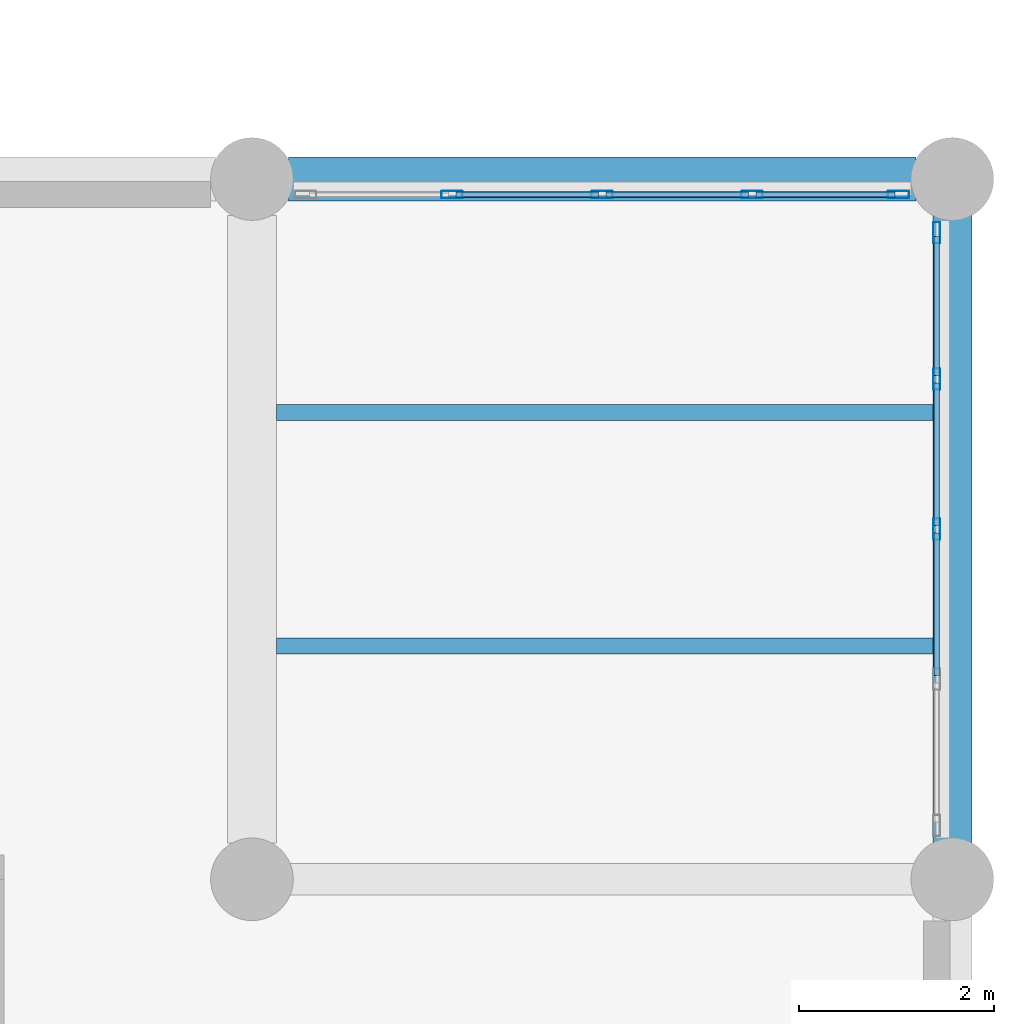
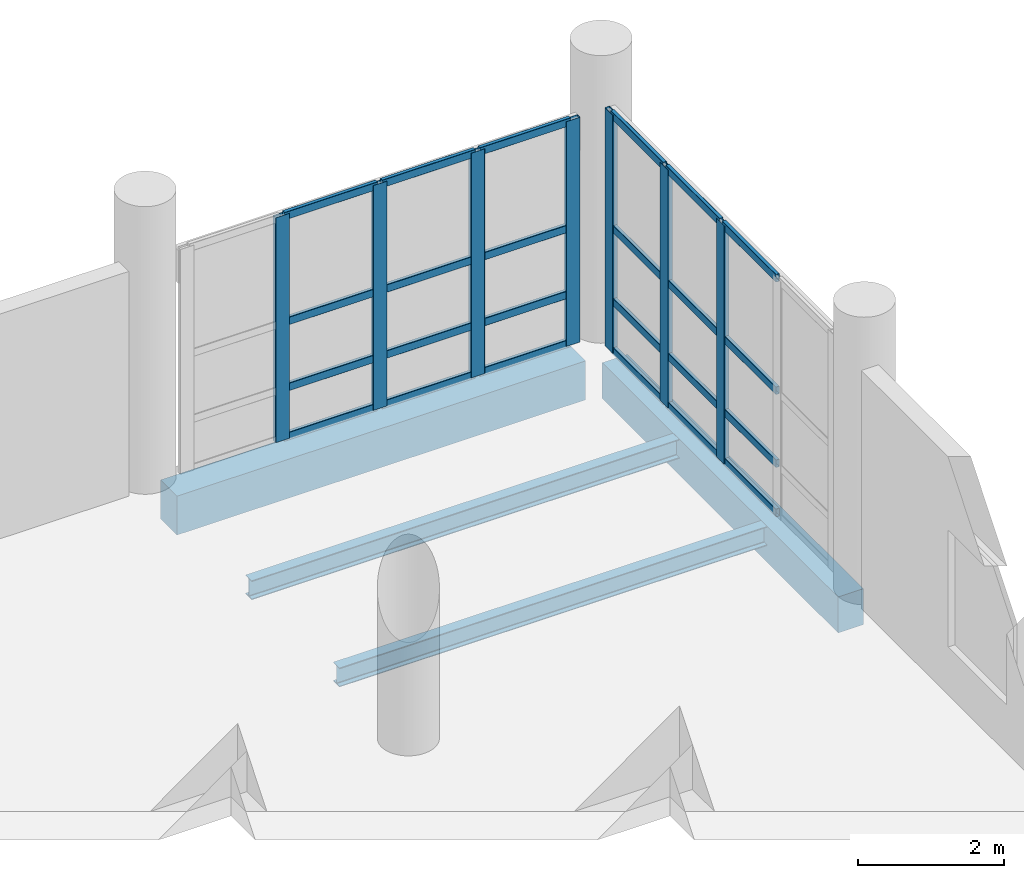
# One storey, part 76 of 127: 31 members, 4 beams, 2 elements without a shape of their own.
"""IFC4 building model written with IfcOpenShell, lengths in metres."""

from ifc_helpers import new_model, si_unit, direction, frame, origin, origin_2d, place, context, subcontext, project, spatial, rectangle, hollow_rectangle, i_section, extrude, material, material_profile, profile_set, type_object, element, aggregate, save


model = new_model("IFC4")

# Units and contexts
model_context = context("Model", 3, precision=1e-05, world=origin(), true_north=direction((0.0, 1.0)))
body_context = subcontext(model_context, "Body", "Model", "MODEL_VIEW")
ifc_project = project(units=[si_unit("LENGTHUNIT", "METRE"), si_unit("AREAUNIT", "SQUARE_METRE"), si_unit("VOLUMEUNIT", "CUBIC_METRE"), si_unit("PLANEANGLEUNIT", "RADIAN"), si_unit("MASSUNIT", "GRAM", prefix="KILO")], contexts=[model_context])

# Site, building, storey
site_placement = place(None, origin())
site = spatial("IfcSite", under=ifc_project, at=site_placement, CompositionType="ELEMENT")
building_placement = place(site_placement, origin())
building = spatial("IfcBuilding", under=site, at=building_placement, Name="Kalmorath City Hall", CompositionType="ELEMENT")
storey_placement = place(building_placement, frame((0.0, 0.0, 5.39990234375)))
storey = spatial("IfcBuildingStorey", under=building, at=storey_placement, Name="L01", CompositionType="ELEMENT", Elevation=5.39990234375)

# Beams
ifc_material_1 = material(Name="Concrete C40/50", Category="concrete")
ifc_material_profile_1 = material_profile(ifc_material_1, rectangle(XDim=0.39990234375, YDim=0.60009765625, at=origin_2d()), Name="RC-BM-400X600")
ifc_profile_set_1 = profile_set([ifc_material_profile_1], Name="Concrete C40/50")
beam_type_1 = type_object("IfcBeamType", Name="Concrete edge beam 400x600", PredefinedType="SPANDREL", material=ifc_profile_set_1)
beam_1_placement = place(storey_placement, frame((165.60009765625, 93.97509765625, -0.6240234375), z_axis=(0.0, 1.0, 0.0), x_axis=(-1.0, 0.0, 0.0)))
element("IfcBeam", 1, at=beam_1_placement, inside=storey, type_object=beam_type_1, Name="L01 girder CB6 Y24/14-15", PredefinedType="SPANDREL", context=body_context, shape_type="SweptSolid", body=[
    extrude(rectangle(XDim=0.39990234375, YDim=0.60009765625, at=origin_2d()), origin(), (0.0, 0.0, 1.0), 6.449951171875),
])
ifc_material_2 = material(Name="Concrete C40/50", Category="concrete")
ifc_material_profile_2 = material_profile(ifc_material_2, rectangle(XDim=0.449951171875, YDim=0.64990234375, at=origin_2d()), Name="RC-BM-450X650")
ifc_profile_set_2 = profile_set([ifc_material_profile_2], Name="Concrete C40/50")
beam_type_2 = type_object("IfcBeamType", Name="Concrete spandrel beam 450x650", PredefinedType="SPANDREL", material=ifc_profile_set_2)
beam_2_placement = place(storey_placement, frame((158.77490234375, 100.800048828125, -0.64892578125), z_axis=(1.0, 0.0, 0.0), x_axis=(0.0, 1.0, 0.0)))
element("IfcBeam", 2, at=beam_2_placement, inside=storey, type_object=beam_type_2, Name="L01 girder CB5 X23-24/15", PredefinedType="SPANDREL", context=body_context, shape_type="SweptSolid", body=[
    extrude(rectangle(XDim=0.449951171875, YDim=0.64990234375, at=origin_2d()), origin(), (0.0, 0.0, 1.0), 6.4501953125),
])

# Curtain wall, members
ifc_material_3 = material(Name="Anodised aluminium and laminated glass", Category="aluminium")
curtain_wall_type_1 = type_object("IfcCurtainWallType", Name="Unitised hurricane curtain wall 6170x3751 M1650", PredefinedType="NOTDEFINED", material=ifc_material_3)
curtain_wall_1_placement = place(storey_placement, origin())
curtain_wall_1 = element("IfcCurtainWall", 3, at=curtain_wall_1_placement, inside=storey, type_object=curtain_wall_type_1, Name="L01 curtain wall CW-62X38M16 #62", PredefinedType="NOTDEFINED")
ifc_material_4 = material(Name="Anodised aluminium framing", Category="aluminium")
ifc_material_profile_3 = material_profile(ifc_material_4, hollow_rectangle(XDim=0.06005859375, YDim=0.1298828125, WallThickness=0.00341796875, InnerFilletRadius=0.00341796875, OuterFilletRadius=0.007080078125, at=origin_2d()), Name="ALU-TRN-130X60X3.5")
ifc_profile_set_3 = profile_set([ifc_material_profile_3], Name="Anodised aluminium framing")
member_type_1 = type_object("IfcMemberType", Name="Curtain-wall courtyard transom 130x60", PredefinedType="USERDEFINED", material=ifc_profile_set_3)
member_1_placement = place(storey_placement, frame((160.4951171875, 100.639892578125, 0.030029296875), z_axis=(1.0, 0.0, 0.0), x_axis=(0.0, 1.0, 0.0)))
member_1 = element("IfcMember", 4, at=member_1_placement, type_object=member_type_1, Name="CW-62X38M16 transom 2.1", ObjectType="TRANSOM", PredefinedType="USERDEFINED", context=body_context, shape_type="SweptSolid", body=[
    extrude(hollow_rectangle(XDim=0.06005859375, YDim=0.1298828125, WallThickness=0.00341796875, InnerFilletRadius=0.00341796875, OuterFilletRadius=0.007080078125, at=origin_2d()), origin(), (0.0, 0.0, 1.0), 1.46728515625),
])
member_2_placement = place(storey_placement, frame((160.4951171875, 100.639892578125, 0.85009765625), z_axis=(1.0, 0.0, 0.0), x_axis=(0.0, 1.0, 0.0)))
member_2 = element("IfcMember", 5, at=member_2_placement, type_object=member_type_1, Name="CW-62X38M16 transom 2.2", ObjectType="TRANSOM", PredefinedType="USERDEFINED", context=body_context, shape_type="SweptSolid", body=[
    extrude(hollow_rectangle(XDim=0.06005859375, YDim=0.1298828125, WallThickness=0.00341796875, InnerFilletRadius=0.00341796875, OuterFilletRadius=0.007080078125, at=origin_2d()), origin(), (0.0, 0.0, 1.0), 1.46728515625),
])
member_3_placement = place(storey_placement, frame((160.4951171875, 100.639892578125, 1.951171875), z_axis=(1.0, 0.0, 0.0), x_axis=(0.0, 1.0, 0.0)))
member_3 = element("IfcMember", 6, at=member_3_placement, type_object=member_type_1, Name="CW-62X38M16 transom 2.3", ObjectType="TRANSOM", PredefinedType="USERDEFINED", context=body_context, shape_type="SweptSolid", body=[
    extrude(hollow_rectangle(XDim=0.06005859375, YDim=0.1298828125, WallThickness=0.00341796875, InnerFilletRadius=0.00341796875, OuterFilletRadius=0.007080078125, at=origin_2d()), origin(), (0.0, 0.0, 1.0), 1.46728515625),
])
member_4_placement = place(storey_placement, frame((160.4951171875, 100.639892578125, 3.72119140625), z_axis=(1.0, 0.0, 0.0), x_axis=(0.0, 1.0, 0.0)))
member_4 = element("IfcMember", 7, at=member_4_placement, type_object=member_type_1, Name="CW-62X38M16 transom 2.4", ObjectType="TRANSOM", PredefinedType="USERDEFINED", context=body_context, shape_type="SweptSolid", body=[
    extrude(hollow_rectangle(XDim=0.06005859375, YDim=0.1298828125, WallThickness=0.00341796875, InnerFilletRadius=0.00341796875, OuterFilletRadius=0.007080078125, at=origin_2d()), origin(), (0.0, 0.0, 1.0), 1.46728515625),
])
member_5_placement = place(storey_placement, frame((162.03759765625, 100.639892578125, 0.030029296875), z_axis=(1.0, 0.0, 0.0), x_axis=(0.0, 1.0, 0.0)))
member_5 = element("IfcMember", 8, at=member_5_placement, type_object=member_type_1, Name="CW-62X38M16 transom 3.1", ObjectType="TRANSOM", PredefinedType="USERDEFINED", context=body_context, shape_type="SweptSolid", body=[
    extrude(hollow_rectangle(XDim=0.06005859375, YDim=0.1298828125, WallThickness=0.00341796875, InnerFilletRadius=0.00341796875, OuterFilletRadius=0.007080078125, at=origin_2d()), origin(), (0.0, 0.0, 1.0), 1.46728515625),
])
member_6_placement = place(storey_placement, frame((162.03759765625, 100.639892578125, 0.85009765625), z_axis=(1.0, 0.0, 0.0), x_axis=(0.0, 1.0, 0.0)))
member_6 = element("IfcMember", 9, at=member_6_placement, type_object=member_type_1, Name="CW-62X38M16 transom 3.2", ObjectType="TRANSOM", PredefinedType="USERDEFINED", context=body_context, shape_type="SweptSolid", body=[
    extrude(hollow_rectangle(XDim=0.06005859375, YDim=0.1298828125, WallThickness=0.00341796875, InnerFilletRadius=0.00341796875, OuterFilletRadius=0.007080078125, at=origin_2d()), origin(), (0.0, 0.0, 1.0), 1.46728515625),
])
member_7_placement = place(storey_placement, frame((162.03759765625, 100.639892578125, 1.951171875), z_axis=(1.0, 0.0, 0.0), x_axis=(0.0, 1.0, 0.0)))
member_7 = element("IfcMember", 10, at=member_7_placement, type_object=member_type_1, Name="CW-62X38M16 transom 3.3", ObjectType="TRANSOM", PredefinedType="USERDEFINED", context=body_context, shape_type="SweptSolid", body=[
    extrude(hollow_rectangle(XDim=0.06005859375, YDim=0.1298828125, WallThickness=0.00341796875, InnerFilletRadius=0.00341796875, OuterFilletRadius=0.007080078125, at=origin_2d()), origin(), (0.0, 0.0, 1.0), 1.46728515625),
])
member_8_placement = place(storey_placement, frame((162.03759765625, 100.639892578125, 3.72119140625), z_axis=(1.0, 0.0, 0.0), x_axis=(0.0, 1.0, 0.0)))
member_8 = element("IfcMember", 11, at=member_8_placement, type_object=member_type_1, Name="CW-62X38M16 transom 3.4", ObjectType="TRANSOM", PredefinedType="USERDEFINED", context=body_context, shape_type="SweptSolid", body=[
    extrude(hollow_rectangle(XDim=0.06005859375, YDim=0.1298828125, WallThickness=0.00341796875, InnerFilletRadius=0.00341796875, OuterFilletRadius=0.007080078125, at=origin_2d()), origin(), (0.0, 0.0, 1.0), 1.46728515625),
])
member_9_placement = place(storey_placement, frame((163.580078125, 100.639892578125, 0.030029296875), z_axis=(1.0, 0.0, 0.0), x_axis=(0.0, 1.0, 0.0)))
member_9 = element("IfcMember", 12, at=member_9_placement, type_object=member_type_1, Name="CW-62X38M16 transom 4.1", ObjectType="TRANSOM", PredefinedType="USERDEFINED", context=body_context, shape_type="SweptSolid", body=[
    extrude(hollow_rectangle(XDim=0.06005859375, YDim=0.1298828125, WallThickness=0.00341796875, InnerFilletRadius=0.00341796875, OuterFilletRadius=0.007080078125, at=origin_2d()), origin(), (0.0, 0.0, 1.0), 1.429931640625),
])
member_10_placement = place(storey_placement, frame((163.580078125, 100.639892578125, 0.85009765625), z_axis=(1.0, 0.0, 0.0), x_axis=(0.0, 1.0, 0.0)))
member_10 = element("IfcMember", 13, at=member_10_placement, type_object=member_type_1, Name="CW-62X38M16 transom 4.2", ObjectType="TRANSOM", PredefinedType="USERDEFINED", context=body_context, shape_type="SweptSolid", body=[
    extrude(hollow_rectangle(XDim=0.06005859375, YDim=0.1298828125, WallThickness=0.00341796875, InnerFilletRadius=0.00341796875, OuterFilletRadius=0.007080078125, at=origin_2d()), origin(), (0.0, 0.0, 1.0), 1.429931640625),
])
member_11_placement = place(storey_placement, frame((163.580078125, 100.639892578125, 1.951171875), z_axis=(1.0, 0.0, 0.0), x_axis=(0.0, 1.0, 0.0)))
member_11 = element("IfcMember", 14, at=member_11_placement, type_object=member_type_1, Name="CW-62X38M16 transom 4.3", ObjectType="TRANSOM", PredefinedType="USERDEFINED", context=body_context, shape_type="SweptSolid", body=[
    extrude(hollow_rectangle(XDim=0.06005859375, YDim=0.1298828125, WallThickness=0.00341796875, InnerFilletRadius=0.00341796875, OuterFilletRadius=0.007080078125, at=origin_2d()), origin(), (0.0, 0.0, 1.0), 1.429931640625),
])
member_12_placement = place(storey_placement, frame((163.580078125, 100.639892578125, 3.72119140625), z_axis=(1.0, 0.0, 0.0), x_axis=(0.0, 1.0, 0.0)))
member_12 = element("IfcMember", 15, at=member_12_placement, type_object=member_type_1, Name="CW-62X38M16 transom 4.4", ObjectType="TRANSOM", PredefinedType="USERDEFINED", context=body_context, shape_type="SweptSolid", body=[
    extrude(hollow_rectangle(XDim=0.06005859375, YDim=0.1298828125, WallThickness=0.00341796875, InnerFilletRadius=0.00341796875, OuterFilletRadius=0.007080078125, at=origin_2d()), origin(), (0.0, 0.0, 1.0), 1.429931640625),
])

ifc_material_5 = material(Name="Anodised aluminium and laminated glass", Category="aluminium")
curtain_wall_type_2 = type_object("IfcCurtainWallType", Name="Unitised hurricane curtain wall 6170x3976 M1650", PredefinedType="NOTDEFINED", material=ifc_material_5)
curtain_wall_2_placement = place(storey_placement, origin())
curtain_wall_2 = element("IfcCurtainWall", 16, at=curtain_wall_2_placement, inside=storey, type_object=curtain_wall_type_2, Name="L01 curtain wall CW-62X40M16 #63", PredefinedType="NOTDEFINED")
member_13_placement = place(storey_placement, frame((165.43994140625, 100.2099609375, 0.030029296875), z_axis=(0.0, -1.0, 0.0), x_axis=(1.0, 0.0, 0.0)))
member_13 = element("IfcMember", 17, at=member_13_placement, type_object=member_type_1, Name="CW-62X40M16 transom 1.1", ObjectType="TRANSOM", PredefinedType="USERDEFINED", context=body_context, shape_type="SweptSolid", body=[
    extrude(hollow_rectangle(XDim=0.06005859375, YDim=0.1298828125, WallThickness=0.00341796875, InnerFilletRadius=0.00341796875, OuterFilletRadius=0.007080078125, at=origin_2d()), origin(), (0.0, 0.0, 1.0), 1.429931640625),
])
member_14_placement = place(storey_placement, frame((165.43994140625, 100.2099609375, 0.85009765625), z_axis=(0.0, -1.0, 0.0), x_axis=(1.0, 0.0, 0.0)))
member_14 = element("IfcMember", 18, at=member_14_placement, type_object=member_type_1, Name="CW-62X40M16 transom 1.2", ObjectType="TRANSOM", PredefinedType="USERDEFINED", context=body_context, shape_type="SweptSolid", body=[
    extrude(hollow_rectangle(XDim=0.06005859375, YDim=0.1298828125, WallThickness=0.00341796875, InnerFilletRadius=0.00341796875, OuterFilletRadius=0.007080078125, at=origin_2d()), origin(), (0.0, 0.0, 1.0), 1.429931640625),
])
member_15_placement = place(storey_placement, frame((165.43994140625, 100.2099609375, 2.068115234375), z_axis=(0.0, -1.0, 0.0), x_axis=(1.0, 0.0, 0.0)))
member_15 = element("IfcMember", 19, at=member_15_placement, type_object=member_type_1, Name="CW-62X40M16 transom 1.3", ObjectType="TRANSOM", PredefinedType="USERDEFINED", context=body_context, shape_type="SweptSolid", body=[
    extrude(hollow_rectangle(XDim=0.06005859375, YDim=0.1298828125, WallThickness=0.00341796875, InnerFilletRadius=0.00341796875, OuterFilletRadius=0.007080078125, at=origin_2d()), origin(), (0.0, 0.0, 1.0), 1.429931640625),
])
member_16_placement = place(storey_placement, frame((165.43994140625, 100.2099609375, 3.946044921875), z_axis=(0.0, -1.0, 0.0), x_axis=(1.0, 0.0, 0.0)))
member_16 = element("IfcMember", 20, at=member_16_placement, type_object=member_type_1, Name="CW-62X40M16 transom 1.4", ObjectType="TRANSOM", PredefinedType="USERDEFINED", context=body_context, shape_type="SweptSolid", body=[
    extrude(hollow_rectangle(XDim=0.06005859375, YDim=0.1298828125, WallThickness=0.00341796875, InnerFilletRadius=0.00341796875, OuterFilletRadius=0.007080078125, at=origin_2d()), origin(), (0.0, 0.0, 1.0), 1.429931640625),
])
member_17_placement = place(storey_placement, frame((165.43994140625, 98.705078125, 0.030029296875), z_axis=(0.0, -1.0, 0.0), x_axis=(1.0, 0.0, 0.0)))
member_17 = element("IfcMember", 21, at=member_17_placement, type_object=member_type_1, Name="CW-62X40M16 transom 2.1", ObjectType="TRANSOM", PredefinedType="USERDEFINED", context=body_context, shape_type="SweptSolid", body=[
    extrude(hollow_rectangle(XDim=0.06005859375, YDim=0.1298828125, WallThickness=0.00341796875, InnerFilletRadius=0.00341796875, OuterFilletRadius=0.007080078125, at=origin_2d()), origin(), (0.0, 0.0, 1.0), 1.467529296875),
])
member_18_placement = place(storey_placement, frame((165.43994140625, 98.705078125, 0.85009765625), z_axis=(0.0, -1.0, 0.0), x_axis=(1.0, 0.0, 0.0)))
member_18 = element("IfcMember", 22, at=member_18_placement, type_object=member_type_1, Name="CW-62X40M16 transom 2.2", ObjectType="TRANSOM", PredefinedType="USERDEFINED", context=body_context, shape_type="SweptSolid", body=[
    extrude(hollow_rectangle(XDim=0.06005859375, YDim=0.1298828125, WallThickness=0.00341796875, InnerFilletRadius=0.00341796875, OuterFilletRadius=0.007080078125, at=origin_2d()), origin(), (0.0, 0.0, 1.0), 1.467529296875),
])
member_19_placement = place(storey_placement, frame((165.43994140625, 98.705078125, 2.068115234375), z_axis=(0.0, -1.0, 0.0), x_axis=(1.0, 0.0, 0.0)))
member_19 = element("IfcMember", 23, at=member_19_placement, type_object=member_type_1, Name="CW-62X40M16 transom 2.3", ObjectType="TRANSOM", PredefinedType="USERDEFINED", context=body_context, shape_type="SweptSolid", body=[
    extrude(hollow_rectangle(XDim=0.06005859375, YDim=0.1298828125, WallThickness=0.00341796875, InnerFilletRadius=0.00341796875, OuterFilletRadius=0.007080078125, at=origin_2d()), origin(), (0.0, 0.0, 1.0), 1.467529296875),
])
member_20_placement = place(storey_placement, frame((165.43994140625, 98.705078125, 3.946044921875), z_axis=(0.0, -1.0, 0.0), x_axis=(1.0, 0.0, 0.0)))
member_20 = element("IfcMember", 24, at=member_20_placement, type_object=member_type_1, Name="CW-62X40M16 transom 2.4", ObjectType="TRANSOM", PredefinedType="USERDEFINED", context=body_context, shape_type="SweptSolid", body=[
    extrude(hollow_rectangle(XDim=0.06005859375, YDim=0.1298828125, WallThickness=0.00341796875, InnerFilletRadius=0.00341796875, OuterFilletRadius=0.007080078125, at=origin_2d()), origin(), (0.0, 0.0, 1.0), 1.467529296875),
])
member_21_placement = place(storey_placement, frame((165.43994140625, 97.16259765625, 0.030029296875), z_axis=(0.0, -1.0, 0.0), x_axis=(1.0, 0.0, 0.0)))
member_21 = element("IfcMember", 25, at=member_21_placement, type_object=member_type_1, Name="CW-62X40M16 transom 3.1", ObjectType="TRANSOM", PredefinedType="USERDEFINED", context=body_context, shape_type="SweptSolid", body=[
    extrude(hollow_rectangle(XDim=0.06005859375, YDim=0.1298828125, WallThickness=0.00341796875, InnerFilletRadius=0.00341796875, OuterFilletRadius=0.007080078125, at=origin_2d()), origin(), (0.0, 0.0, 1.0), 1.467529296875),
])
member_22_placement = place(storey_placement, frame((165.43994140625, 97.16259765625, 0.85009765625), z_axis=(0.0, -1.0, 0.0), x_axis=(1.0, 0.0, 0.0)))
member_22 = element("IfcMember", 26, at=member_22_placement, type_object=member_type_1, Name="CW-62X40M16 transom 3.2", ObjectType="TRANSOM", PredefinedType="USERDEFINED", context=body_context, shape_type="SweptSolid", body=[
    extrude(hollow_rectangle(XDim=0.06005859375, YDim=0.1298828125, WallThickness=0.00341796875, InnerFilletRadius=0.00341796875, OuterFilletRadius=0.007080078125, at=origin_2d()), origin(), (0.0, 0.0, 1.0), 1.467529296875),
])
member_23_placement = place(storey_placement, frame((165.43994140625, 97.16259765625, 2.068115234375), z_axis=(0.0, -1.0, 0.0), x_axis=(1.0, 0.0, 0.0)))
member_23 = element("IfcMember", 27, at=member_23_placement, type_object=member_type_1, Name="CW-62X40M16 transom 3.3", ObjectType="TRANSOM", PredefinedType="USERDEFINED", context=body_context, shape_type="SweptSolid", body=[
    extrude(hollow_rectangle(XDim=0.06005859375, YDim=0.1298828125, WallThickness=0.00341796875, InnerFilletRadius=0.00341796875, OuterFilletRadius=0.007080078125, at=origin_2d()), origin(), (0.0, 0.0, 1.0), 1.467529296875),
])
member_24_placement = place(storey_placement, frame((165.43994140625, 97.16259765625, 3.946044921875), z_axis=(0.0, -1.0, 0.0), x_axis=(1.0, 0.0, 0.0)))
member_24 = element("IfcMember", 28, at=member_24_placement, type_object=member_type_1, Name="CW-62X40M16 transom 3.4", ObjectType="TRANSOM", PredefinedType="USERDEFINED", context=body_context, shape_type="SweptSolid", body=[
    extrude(hollow_rectangle(XDim=0.06005859375, YDim=0.1298828125, WallThickness=0.00341796875, InnerFilletRadius=0.00341796875, OuterFilletRadius=0.007080078125, at=origin_2d()), origin(), (0.0, 0.0, 1.0), 1.467529296875),
])

# Member
ifc_material_6 = material(Name="Anodised aluminium framing", Category="aluminium")
ifc_material_profile_4 = material_profile(ifc_material_6, hollow_rectangle(XDim=0.074951171875, YDim=0.219970703125, WallThickness=0.00390625, InnerFilletRadius=0.00390625, OuterFilletRadius=0.008056640625, at=origin_2d()), Name="ALU-MUL-220X75X4")
ifc_profile_set_4 = profile_set([ifc_material_profile_4], Name="Anodised aluminium framing")
member_type_2 = type_object("IfcMemberType", Name="Curtain-wall primary mullion 220x75", PredefinedType="MULLION", material=ifc_profile_set_4)
member_25_placement = place(storey_placement, frame((160.45751953125, 100.639892578125, 0.0), z_axis=(0.0, 0.0, 1.0), x_axis=(0.0, 1.0, 0.0)))
member_25 = element("IfcMember", 29, at=member_25_placement, type_object=member_type_2, Name="CW-62X38M16 mullion 2", PredefinedType="MULLION", context=body_context, shape_type="SweptSolid", body=[
    extrude(hollow_rectangle(XDim=0.074951171875, YDim=0.219970703125, WallThickness=0.00390625, InnerFilletRadius=0.00390625, OuterFilletRadius=0.008056640625, at=origin_2d()), origin(), (0.0, 0.0, 1.0), 3.7509765625),
])

member_26_placement = place(storey_placement, frame((162.0, 100.639892578125, 0.0), z_axis=(0.0, 0.0, 1.0), x_axis=(0.0, 1.0, 0.0)))
member_26 = element("IfcMember", 30, at=member_26_placement, type_object=member_type_2, Name="CW-62X38M16 mullion 3", PredefinedType="MULLION", context=body_context, shape_type="SweptSolid", body=[
    extrude(hollow_rectangle(XDim=0.074951171875, YDim=0.219970703125, WallThickness=0.00390625, InnerFilletRadius=0.00390625, OuterFilletRadius=0.008056640625, at=origin_2d()), origin(), (0.0, 0.0, 1.0), 3.7509765625),
])

member_27_placement = place(storey_placement, frame((163.54248046875, 100.639892578125, 0.0), z_axis=(0.0, 0.0, 1.0), x_axis=(0.0, 1.0, 0.0)))
member_27 = element("IfcMember", 31, at=member_27_placement, type_object=member_type_2, Name="CW-62X38M16 mullion 4", PredefinedType="MULLION", context=body_context, shape_type="SweptSolid", body=[
    extrude(hollow_rectangle(XDim=0.074951171875, YDim=0.219970703125, WallThickness=0.00390625, InnerFilletRadius=0.00390625, OuterFilletRadius=0.008056640625, at=origin_2d()), origin(), (0.0, 0.0, 1.0), 3.7509765625),
])

member_28_placement = place(storey_placement, frame((165.047607421875, 100.639892578125, 0.0), z_axis=(0.0, 0.0, 1.0), x_axis=(0.0, 1.0, 0.0)))
member_28 = element("IfcMember", 32, at=member_28_placement, type_object=member_type_2, Name="CW-62X38M16 mullion 5", PredefinedType="MULLION", context=body_context, shape_type="SweptSolid", body=[
    extrude(hollow_rectangle(XDim=0.074951171875, YDim=0.219970703125, WallThickness=0.00390625, InnerFilletRadius=0.00390625, OuterFilletRadius=0.008056640625, at=origin_2d()), origin(), (0.0, 0.0, 1.0), 3.7509765625),
])

aggregate(curtain_wall_1, [member_25, member_26, member_27, member_28, member_1, member_2, member_3, member_4, member_5, member_6, member_7, member_8, member_9, member_10, member_11, member_12])

member_29_placement = place(storey_placement, frame((165.43994140625, 100.24755859375, 0.0), z_axis=(0.0, 0.0, 1.0), x_axis=(1.0, 0.0, 0.0)))
member_29 = element("IfcMember", 33, at=member_29_placement, type_object=member_type_2, Name="CW-62X40M16 mullion 1", PredefinedType="MULLION", context=body_context, shape_type="SweptSolid", body=[
    extrude(hollow_rectangle(XDim=0.074951171875, YDim=0.219970703125, WallThickness=0.00390625, InnerFilletRadius=0.00390625, OuterFilletRadius=0.008056640625, at=origin_2d()), origin(), (0.0, 0.0, 1.0), 3.97607421875),
])

member_30_placement = place(storey_placement, frame((165.43994140625, 98.742431640625, 0.0), z_axis=(0.0, 0.0, 1.0), x_axis=(1.0, 0.0, 0.0)))
member_30 = element("IfcMember", 34, at=member_30_placement, type_object=member_type_2, Name="CW-62X40M16 mullion 2", PredefinedType="MULLION", context=body_context, shape_type="SweptSolid", body=[
    extrude(hollow_rectangle(XDim=0.074951171875, YDim=0.219970703125, WallThickness=0.00390625, InnerFilletRadius=0.00390625, OuterFilletRadius=0.008056640625, at=origin_2d()), origin(), (0.0, 0.0, 1.0), 3.97607421875),
])

member_31_placement = place(storey_placement, frame((165.43994140625, 97.199951171875, 0.0), z_axis=(0.0, 0.0, 1.0), x_axis=(1.0, 0.0, 0.0)))
member_31 = element("IfcMember", 35, at=member_31_placement, type_object=member_type_2, Name="CW-62X40M16 mullion 3", PredefinedType="MULLION", context=body_context, shape_type="SweptSolid", body=[
    extrude(hollow_rectangle(XDim=0.074951171875, YDim=0.219970703125, WallThickness=0.00390625, InnerFilletRadius=0.00390625, OuterFilletRadius=0.008056640625, at=origin_2d()), origin(), (0.0, 0.0, 1.0), 3.97607421875),
])

aggregate(curtain_wall_2, [member_29, member_30, member_31, member_13, member_14, member_15, member_16, member_17, member_18, member_19, member_20, member_21, member_22, member_23, member_24])

# Beams
ifc_material_7 = material(Name="Steel ASTM A992 Grade 50", Category="steel")
ifc_material_profile_5 = material_profile(ifc_material_7, i_section(OverallWidth=0.1669921875, OverallDepth=0.318115234375, WebThickness=0.007568359375, FlangeThickness=0.01318359375, FilletRadius=0.012939453125, at=origin_2d()), Name="W12X35")
ifc_profile_set_5 = profile_set([ifc_material_profile_5], Name="Steel ASTM A992 Grade 50")
beam_type_3 = type_object("IfcBeamType", Name="Steel header lintel W12X35", PredefinedType="LINTEL", material=ifc_profile_set_5)
for number, where, z_axis, x_axis, name in (
    (36, (158.64990234375, 96.0, -0.48291015625), (1.0, 0.0, 0.0), (0.0, 1.0, 0.0), "L01 joist SJ13 23.14.1"),
    (37, (158.64990234375, 98.39990234375, -0.48291015625), (1.0, 0.0, 0.0), (0.0, 1.0, 0.0), "L01 joist SJ13 23.14.2"),
):
    element("IfcBeam", number, at=place(storey_placement, frame(where, z_axis=z_axis, x_axis=x_axis)), inside=storey, type_object=beam_type_3, Name=name, PredefinedType="LINTEL", context=body_context, shape_type="SweptSolid", body=[
        extrude(i_section(OverallWidth=0.1669921875, OverallDepth=0.318115234375, WebThickness=0.007568359375, FlangeThickness=0.01318359375, FilletRadius=0.012939453125, at=origin_2d()), origin(), (0.0, 0.0, 1.0), 6.75),
    ])

save(model, "model.ifc")
